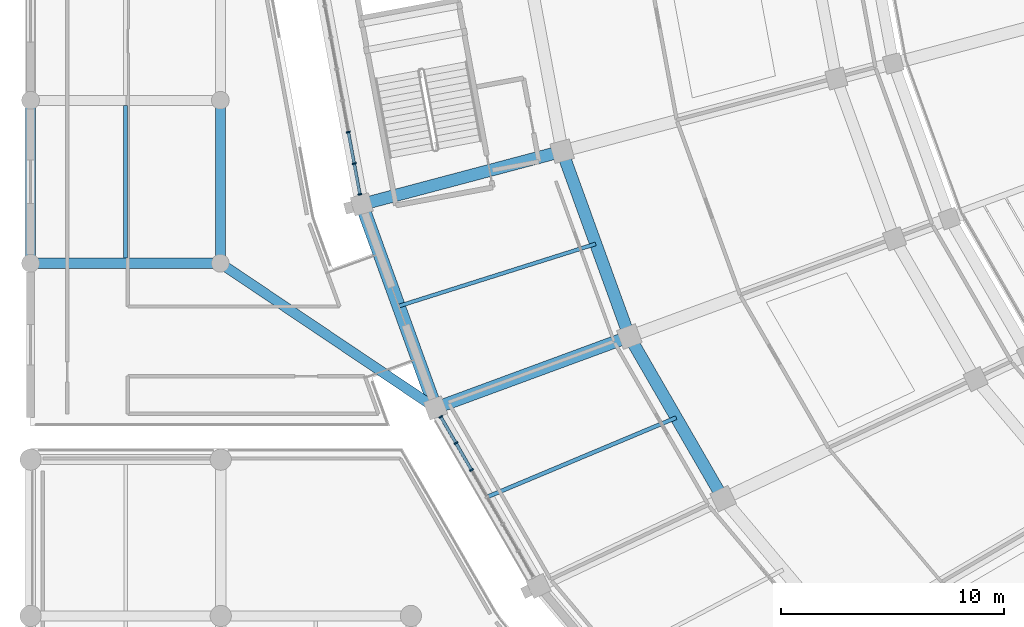
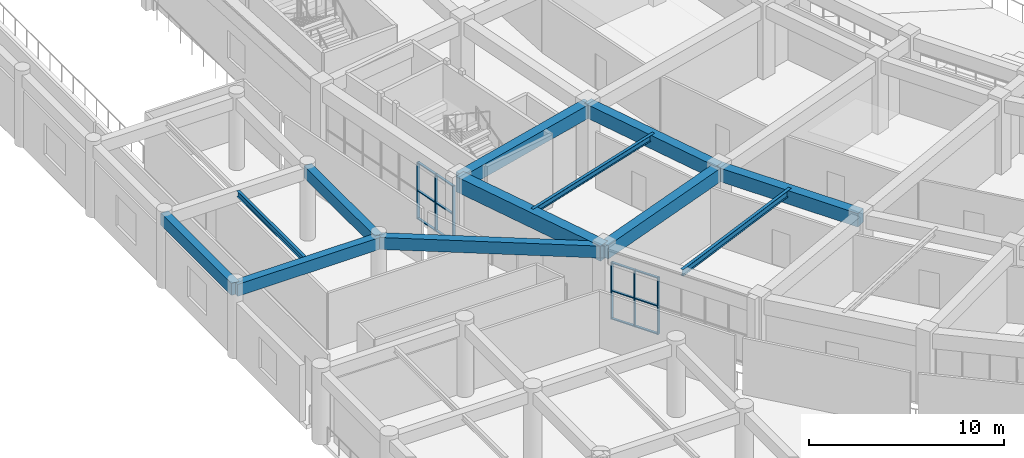
# One storey, part 18 of 152: 18 members, 12 beams, 2 elements without a shape of their own.
"""IFC4 building model written with IfcOpenShell, lengths in metres."""

from ifc_helpers import new_model, si_unit, direction, frame, origin, origin_2d, place, context, subcontext, project, spatial, rectangle, i_section, extrude, material, layer, layer_set, material_profile, profile_set, type_object, element, aggregate, save


model = new_model("IFC4")

# Units and contexts
model_context = context("Model", 3, precision=1e-05, world=origin(), true_north=direction((0.0, 1.0)))
body_context = subcontext(model_context, "Body", "Model", "MODEL_VIEW")
ifc_project = project(units=[si_unit("LENGTHUNIT", "METRE"), si_unit("AREAUNIT", "SQUARE_METRE"), si_unit("VOLUMEUNIT", "CUBIC_METRE"), si_unit("PLANEANGLEUNIT", "RADIAN"), si_unit("MASSUNIT", "GRAM", prefix="KILO")], contexts=[model_context])

# Site, building, storey
site_placement = place(None, origin())
site = spatial("IfcSite", under=ifc_project, at=site_placement, CompositionType="ELEMENT")
building_placement = place(site_placement, origin())
building = spatial("IfcBuilding", under=site, at=building_placement, Name="Mphavela Belvedere Stadium", CompositionType="ELEMENT")
storey_placement = place(building_placement, frame((0.0, 0.0, 5.39990234375)))
storey = spatial("IfcBuildingStorey", under=building, at=storey_placement, Name="L01", CompositionType="ELEMENT", Elevation=5.39990234375)

# Beams
ifc_material_1 = material(Name="Concrete C40/50", Category="concrete")
ifc_material_profile_1 = material_profile(ifc_material_1, rectangle(XDim=0.60009765625, YDim=0.949951171875, at=origin_2d()), Name="RC 600x950")
ifc_profile_set_1 = profile_set([ifc_material_profile_1], Name="Concrete C40/50")
beam_type_1 = type_object("IfcBeamType", Name="BM-ENTABLATURE-950", PredefinedType="SPANDREL", material=ifc_profile_set_1)
beam_1_placement = place(storey_placement, frame((14.83544921875, 60.4375, 4.0751953125), z_axis=(0.341017570596, -0.94005692197, 0.0), x_axis=(0.94005692197, 0.341017570596, 0.0)))
element("IfcBeam", 1, at=beam_1_placement, inside=storey, type_object=beam_type_1, Name="Circumferential girder L01 R4-27", PredefinedType="SPANDREL", context=body_context, shape_type="SweptSolid", body=[
    extrude(rectangle(XDim=0.60009765625, YDim=0.949951171875, at=origin_2d()), origin(), (0.0, 0.0, 1.0), 9.701416015625),
])
ifc_material_2 = material(Name="Steel S355", Category="steel")
ifc_material_profile_2 = material_profile(ifc_material_2, i_section(OverallWidth=0.169921875, OverallDepth=0.360107421875, WebThickness=0.008056640625, FlangeThickness=0.0126953125, at=origin_2d()), Name="IPE 360")
ifc_profile_set_2 = profile_set([ifc_material_profile_2], Name="Steel S355")
beam_type_2 = type_object("IfcBeamType", Name="BM-JOIST-IPE360", PredefinedType="JOIST", material=ifc_profile_set_2)
beam_2_placement = place(storey_placement, frame((25.318359375, 58.6669921875, 4.3701171875), z_axis=(-0.953544002003, -0.301253773826, 0.0), x_axis=(0.301253773826, -0.953544002003, 0.0)))
element("IfcBeam", 2, at=beam_2_placement, inside=storey, type_object=beam_type_2, Name="Concourse floor joist L01-27", PredefinedType="JOIST", context=body_context, shape_type="SweptSolid", body=[
    extrude(i_section(OverallWidth=0.169921875, OverallDepth=0.360107421875, WebThickness=0.008056640625, FlangeThickness=0.0126953125, at=origin_2d()), origin(), (0.0, 0.0, 1.0), 9.259033203125),
])
beam_3_placement = place(storey_placement, frame((4.25, 58.02490234375, 4.360107421875), z_axis=(0.0, 1.0, 0.0), x_axis=(-1.0, 0.0, 0.0)))
element("IfcBeam", 3, at=beam_3_placement, inside=storey, type_object=beam_type_2, Name="West Planted Eaves Peristyle Colonnade secondary joist L01 1-2", PredefinedType="JOIST", context=body_context, shape_type="SweptSolid", body=[
    extrude(i_section(OverallWidth=0.169921875, OverallDepth=0.360107421875, WebThickness=0.008056640625, FlangeThickness=0.0126953125, at=origin_2d()), origin(), (0.0, 0.0, 1.0), 6.85009765625),
])
ifc_material_3 = material(Name="Steel S355", Category="steel")
ifc_material_profile_3 = material_profile(ifc_material_3, i_section(OverallWidth=0.179931640625, OverallDepth=0.39990234375, WebThickness=0.008544921875, FlangeThickness=0.013427734375, at=origin_2d()), Name="IPE 400")
ifc_profile_set_3 = profile_set([ifc_material_profile_3], Name="Steel S355")
beam_type_3 = type_object("IfcBeamType", Name="BM-JOIST-IPE400", PredefinedType="JOIST", material=ifc_profile_set_3)
beam_4_placement = place(storey_placement, frame((28.924560546875, 50.8837890625, 4.35009765625), z_axis=(-0.922112756047, -0.386921264775, 0.0), x_axis=(0.386921264775, -0.922112756047, 0.0)))
element("IfcBeam", 4, at=beam_4_placement, inside=storey, type_object=beam_type_3, Name="Concourse floor joist L01-28", PredefinedType="JOIST", context=body_context, shape_type="SweptSolid", body=[
    extrude(i_section(OverallWidth=0.179931640625, OverallDepth=0.39990234375, WebThickness=0.008544921875, FlangeThickness=0.013427734375, at=origin_2d()), origin(), (0.0, 0.0, 1.0), 9.189697265625),
])
ifc_material_4 = material(Name="Concrete C40/50", Category="concrete")
ifc_material_profile_4 = material_profile(ifc_material_4, rectangle(XDim=0.449951171875, YDim=0.75, at=origin_2d()), Name="RC 450x750")
ifc_profile_set_4 = profile_set([ifc_material_profile_4], Name="Concrete C40/50")
beam_type_4 = type_object("IfcBeamType", Name="BM-RC450x750", PredefinedType="BEAM", material=ifc_profile_set_4)
beam_5_placement = place(storey_placement, frame((0.0, 57.800048828125, 4.1650390625), z_axis=(1.0, 0.0, 0.0), x_axis=(0.0, 1.0, 0.0)))
element("IfcBeam", 5, at=beam_5_placement, inside=storey, type_object=beam_type_4, Name="West Planted Eaves Peristyle Colonnade entablature beam X L01 1-2", PredefinedType="BEAM", context=body_context, shape_type="SweptSolid", body=[
    extrude(rectangle(XDim=0.449951171875, YDim=0.75, at=origin_2d()), origin(), (0.0, 0.0, 1.0), 8.5),
])
for number, where, z_axis, x_axis, name in (
    (6, (0.0, 57.800048828125, 4.1650390625), (0.0, 1.0, 0.0), (-1.0, 0.0, 0.0), "West Planted Eaves Peristyle Colonnade entablature beam Y L01 1-2"),
    (7, (8.5, 57.800048828125, 4.1650390625), (0.0, 1.0, 0.0), (-1.0, 0.0, 0.0), "West Planted Eaves Peristyle Colonnade entablature beam Y L01 2-2"),
):
    element("IfcBeam", number, at=place(storey_placement, frame(where, z_axis=z_axis, x_axis=x_axis)), inside=storey, type_object=beam_type_4, Name=name, PredefinedType="BEAM", context=body_context, shape_type="SweptSolid", body=[
        extrude(rectangle(XDim=0.449951171875, YDim=0.75, at=origin_2d()), origin(), (0.0, 0.0, 1.0), 7.300048828125),
    ])
beam_6_placement = place(storey_placement, frame((8.5, 57.800048828125, 4.1650390625), z_axis=(0.82993028647, -0.557867116436, 0.0), x_axis=(0.557867116436, 0.82993028647, 0.0)))
element("IfcBeam", 8, at=beam_6_placement, inside=storey, type_object=beam_type_4, Name="West Planted Eaves Peristyle Colonnade bowl link girder L01-5", PredefinedType="BEAM", context=body_context, shape_type="SweptSolid", body=[
    extrude(rectangle(XDim=0.449951171875, YDim=0.75, at=origin_2d()), origin(), (0.0, 0.0, 1.0), 11.6201171875),
])
ifc_material_5 = material(Name="Concrete C40/50", Category="concrete")
ifc_material_profile_5 = material_profile(ifc_material_5, rectangle(XDim=0.550048828125, YDim=0.85009765625, at=origin_2d()), Name="RC 550x850")
ifc_profile_set_5 = profile_set([ifc_material_profile_5], Name="Concrete C40/50")
beam_type_5 = type_object("IfcBeamType", Name="BM-RC550x850", PredefinedType="BEAM", material=ifc_profile_set_5)
beam_7_placement = place(storey_placement, frame((23.8125, 62.818115234375, 4.125), z_axis=(0.341030504348, -0.940052229987, 0.0), x_axis=(0.940052229987, 0.341030504348, 0.0)))
element("IfcBeam", 9, at=beam_7_placement, inside=storey, type_object=beam_type_5, Name="Circumferential girder L01 R3-27", PredefinedType="BEAM", context=body_context, shape_type="SweptSolid", body=[
    extrude(rectangle(XDim=0.550048828125, YDim=0.85009765625, at=origin_2d()), origin(), (0.0, 0.0, 1.0), 8.83203125),
])
beam_8_placement = place(storey_placement, frame((23.8125, 62.818115234375, 4.125), z_axis=(-0.966589609073, -0.256328944196, 0.0), x_axis=(0.256328944196, -0.966589609073, 0.0)))
element("IfcBeam", 10, at=beam_8_placement, inside=storey, type_object=beam_type_5, Name="Radial concourse girder L01 R3R4-27", PredefinedType="BEAM", context=body_context, shape_type="SweptSolid", body=[
    extrude(rectangle(XDim=0.550048828125, YDim=0.85009765625, at=origin_2d()), origin(), (0.0, 0.0, 1.0), 9.287353515625),
])
beam_9_placement = place(storey_placement, frame((26.824462890625, 54.515625, 4.125), z_axis=(0.500547586322, -0.865709023765, 0.0), x_axis=(0.865709023765, 0.500547586322, 0.0)))
element("IfcBeam", 11, at=beam_9_placement, inside=storey, type_object=beam_type_5, Name="Circumferential girder L01 R3-28", PredefinedType="BEAM", context=body_context, shape_type="SweptSolid", body=[
    extrude(rectangle(XDim=0.550048828125, YDim=0.85009765625, at=origin_2d()), origin(), (0.0, 0.0, 1.0), 8.390625),
])
beam_10_placement = place(storey_placement, frame((26.824462890625, 54.515625, 4.125), z_axis=(-0.938348073025, -0.345691905967, 0.0), x_axis=(0.345691905967, -0.938348073025, 0.0)))
element("IfcBeam", 12, at=beam_10_placement, inside=storey, type_object=beam_type_5, Name="Radial concourse girder L01 R3R4-28", PredefinedType="BEAM", context=body_context, shape_type="SweptSolid", body=[
    extrude(rectangle(XDim=0.550048828125, YDim=0.85009765625, at=origin_2d()), origin(), (0.0, 0.0, 1.0), 9.2509765625),
])

# Curtain wall, members
ifc_material_6 = material(Name="Anodised bronze unitised curtain wall framing")
ifc_layer_1 = layer(ifc_material_6, 0.195068359375)
ifc_layer_set_1 = layer_set([ifc_layer_1], Name="Anodised bronze unitised curtain wall framing")
curtain_wall_type_1 = type_object("IfcCurtainWallType", Name="CW-UNIT-04", PredefinedType="USERDEFINED", material=ifc_layer_set_1)
curtain_wall_1_placement = place(storey_placement, origin())
curtain_wall_1 = element("IfcCurtainWall", 13, at=curtain_wall_1_placement, inside=storey, type_object=curtain_wall_type_1, Name="Belvedere colonnade curtain wall L01-26", ObjectType="UNITISED CURTAIN WALL", PredefinedType="USERDEFINED")
ifc_material_7 = material(Name="Anodised bronze extruded aluminium", Category="aluminium")
ifc_material_profile_6 = material_profile(ifc_material_7, rectangle(XDim=0.179931640625, YDim=0.06494140625, at=origin_2d()), Name="CW-MUL 180x65")
ifc_profile_set_6 = profile_set([ifc_material_profile_6], Name="Anodised bronze extruded aluminium")
member_type_1 = type_object("IfcMemberType", Name="CWM-180x65", PredefinedType="MULLION", material=ifc_profile_set_6)
member_1_placement = place(storey_placement, frame((14.2333984375, 63.677978515625, 0.0), z_axis=(0.0, 0.0, 1.0), x_axis=(0.983183659932, 0.182619524814, 0.0)))
member_1 = element("IfcMember", 14, at=member_1_placement, type_object=member_type_1, Name="CW-04 mullion 6", PredefinedType="MULLION", context=body_context, shape_type="SweptSolid", body=[
    extrude(rectangle(XDim=0.179931640625, YDim=0.06494140625, at=origin_2d()), origin(), (0.0, 0.0, 1.0), 3.570068359375),
])
member_2_placement = place(storey_placement, frame((14.495849609375, 62.265625, 0.0), z_axis=(0.0, 0.0, 1.0), x_axis=(0.983183659932, 0.182619524814, 0.0)))
member_2 = element("IfcMember", 15, at=member_2_placement, type_object=member_type_1, Name="CW-04 mullion 7", PredefinedType="MULLION", context=body_context, shape_type="SweptSolid", body=[
    extrude(rectangle(XDim=0.179931640625, YDim=0.06494140625, at=origin_2d()), origin(), (0.0, 0.0, 1.0), 3.570068359375),
])
member_3_placement = place(storey_placement, frame((14.752197265625, 60.88525390625, 0.0), z_axis=(0.0, 0.0, 1.0), x_axis=(0.983183659932, 0.182619524814, 0.0)))
member_3 = element("IfcMember", 16, at=member_3_placement, type_object=member_type_1, Name="CW-04 mullion 8", PredefinedType="MULLION", context=body_context, shape_type="SweptSolid", body=[
    extrude(rectangle(XDim=0.179931640625, YDim=0.06494140625, at=origin_2d()), origin(), (0.0, 0.0, 1.0), 3.570068359375),
])

ifc_material_8 = material(Name="Anodised bronze unitised curtain wall framing")
ifc_layer_2 = layer(ifc_material_8, 0.199951171875)
ifc_layer_set_2 = layer_set([ifc_layer_2], Name="Anodised bronze unitised curtain wall framing")
curtain_wall_type_2 = type_object("IfcCurtainWallType", Name="CW-UNIT-05", PredefinedType="USERDEFINED", material=ifc_layer_set_2)
curtain_wall_2_placement = place(storey_placement, origin())
curtain_wall_2 = element("IfcCurtainWall", 17, at=curtain_wall_2_placement, inside=storey, type_object=curtain_wall_type_2, Name="Belvedere colonnade curtain wall L01-28", ObjectType="UNITISED CURTAIN WALL", PredefinedType="USERDEFINED")
member_4_placement = place(storey_placement, frame((18.371826171875, 50.92333984375, 0.0), z_axis=(0.0, 0.0, 1.0), x_axis=(0.865701507229, 0.500560586125, 0.0)))
member_4 = element("IfcMember", 18, at=member_4_placement, type_object=member_type_1, Name="CW-05 mullion 1", PredefinedType="MULLION", context=body_context, shape_type="SweptSolid", body=[
    extrude(rectangle(XDim=0.179931640625, YDim=0.06494140625, at=origin_2d()), origin(), (0.0, 0.0, 1.0), 3.570068359375),
])
member_5_placement = place(storey_placement, frame((19.053955078125, 49.74365234375, 0.0), z_axis=(0.0, 0.0, 1.0), x_axis=(0.865701507229, 0.500560586125, 0.0)))
member_5 = element("IfcMember", 19, at=member_5_placement, type_object=member_type_1, Name="CW-05 mullion 2", PredefinedType="MULLION", context=body_context, shape_type="SweptSolid", body=[
    extrude(rectangle(XDim=0.179931640625, YDim=0.06494140625, at=origin_2d()), origin(), (0.0, 0.0, 1.0), 3.570068359375),
])
member_6_placement = place(storey_placement, frame((19.75244140625, 48.535888671875, 0.0), z_axis=(0.0, 0.0, 1.0), x_axis=(0.865701507229, 0.500560586125, 0.0)))
member_6 = element("IfcMember", 20, at=member_6_placement, type_object=member_type_1, Name="CW-05 mullion 3", PredefinedType="MULLION", context=body_context, shape_type="SweptSolid", body=[
    extrude(rectangle(XDim=0.179931640625, YDim=0.06494140625, at=origin_2d()), origin(), (0.0, 0.0, 1.0), 3.570068359375),
])

# Member
ifc_material_9 = material(Name="Anodised bronze extruded aluminium", Category="aluminium")
ifc_material_profile_7 = material_profile(ifc_material_9, rectangle(XDim=0.139892578125, YDim=0.06005859375, at=origin_2d()), Name="CW-TRN 140x60")
ifc_profile_set_7 = profile_set([ifc_material_profile_7], Name="Anodised bronze extruded aluminium")
member_type_2 = type_object("IfcMemberType", Name="CWT-140x60", PredefinedType="USERDEFINED", material=ifc_profile_set_7)
member_7_placement = place(storey_placement, frame((14.239501953125, 63.64599609375, 0.030029296875), z_axis=(0.182471732278, -0.983211099876, 0.0), x_axis=(0.983211099876, 0.182471732278, 0.0)))
member_7 = element("IfcMember", 21, at=member_7_placement, type_object=member_type_2, Name="CW-04 transom 6.1", ObjectType="TRANSOM", PredefinedType="USERDEFINED", context=body_context, shape_type="SweptSolid", body=[
    extrude(rectangle(XDim=0.139892578125, YDim=0.06005859375, at=origin_2d()), origin(), (0.0, 0.0, 1.0), 1.371337890625),
])

member_8_placement = place(storey_placement, frame((14.239501953125, 63.64599609375, 1.78515625), z_axis=(0.182471732278, -0.983211099876, 0.0), x_axis=(0.983211099876, 0.182471732278, 0.0)))
member_8 = element("IfcMember", 22, at=member_8_placement, type_object=member_type_2, Name="CW-04 transom 6.2", ObjectType="TRANSOM", PredefinedType="USERDEFINED", context=body_context, shape_type="SweptSolid", body=[
    extrude(rectangle(XDim=0.139892578125, YDim=0.06005859375, at=origin_2d()), origin(), (0.0, 0.0, 1.0), 1.371337890625),
])

member_9_placement = place(storey_placement, frame((14.239501953125, 63.64599609375, 3.5400390625), z_axis=(0.182471732278, -0.983211099876, 0.0), x_axis=(0.983211099876, 0.182471732278, 0.0)))
member_9 = element("IfcMember", 23, at=member_9_placement, type_object=member_type_2, Name="CW-04 transom 6.3", ObjectType="TRANSOM", PredefinedType="USERDEFINED", context=body_context, shape_type="SweptSolid", body=[
    extrude(rectangle(XDim=0.139892578125, YDim=0.06005859375, at=origin_2d()), origin(), (0.0, 0.0, 1.0), 1.371337890625),
])

member_10_placement = place(storey_placement, frame((14.501708984375, 62.233642578125, 0.030029296875), z_axis=(0.182702984159, -0.983168154275, 0.0), x_axis=(0.983168154275, 0.182702984159, 0.0)))
member_10 = element("IfcMember", 24, at=member_10_placement, type_object=member_type_2, Name="CW-04 transom 7.1", ObjectType="TRANSOM", PredefinedType="USERDEFINED", context=body_context, shape_type="SweptSolid", body=[
    extrude(rectangle(XDim=0.139892578125, YDim=0.06005859375, at=origin_2d()), origin(), (0.0, 0.0, 1.0), 1.3388671875),
])

member_11_placement = place(storey_placement, frame((14.501708984375, 62.233642578125, 1.78515625), z_axis=(0.182702984159, -0.983168154275, 0.0), x_axis=(0.983168154275, 0.182702984159, 0.0)))
member_11 = element("IfcMember", 25, at=member_11_placement, type_object=member_type_2, Name="CW-04 transom 7.2", ObjectType="TRANSOM", PredefinedType="USERDEFINED", context=body_context, shape_type="SweptSolid", body=[
    extrude(rectangle(XDim=0.139892578125, YDim=0.06005859375, at=origin_2d()), origin(), (0.0, 0.0, 1.0), 1.3388671875),
])

member_12_placement = place(storey_placement, frame((14.501708984375, 62.233642578125, 3.5400390625), z_axis=(0.182702984159, -0.983168154275, 0.0), x_axis=(0.983168154275, 0.182702984159, 0.0)))
member_12 = element("IfcMember", 26, at=member_12_placement, type_object=member_type_2, Name="CW-04 transom 7.3", ObjectType="TRANSOM", PredefinedType="USERDEFINED", context=body_context, shape_type="SweptSolid", body=[
    extrude(rectangle(XDim=0.139892578125, YDim=0.06005859375, at=origin_2d()), origin(), (0.0, 0.0, 1.0), 1.3388671875),
])

aggregate(curtain_wall_1, [member_1, member_2, member_3, member_7, member_8, member_9, member_10, member_11, member_12])

member_13_placement = place(storey_placement, frame((18.38818359375, 50.895263671875, 0.030029296875), z_axis=(0.500428039274, -0.865778134113, 0.0), x_axis=(0.865778134113, 0.500428039274, 0.0)))
member_13 = element("IfcMember", 27, at=member_13_placement, type_object=member_type_2, Name="CW-05 transom 1.1", ObjectType="TRANSOM", PredefinedType="USERDEFINED", context=body_context, shape_type="SweptSolid", body=[
    extrude(rectangle(XDim=0.139892578125, YDim=0.06005859375, at=origin_2d()), origin(), (0.0, 0.0, 1.0), 1.297607421875),
])

member_14_placement = place(storey_placement, frame((18.38818359375, 50.895263671875, 1.78515625), z_axis=(0.500428039274, -0.865778134113, 0.0), x_axis=(0.865778134113, 0.500428039274, 0.0)))
member_14 = element("IfcMember", 28, at=member_14_placement, type_object=member_type_2, Name="CW-05 transom 1.2", ObjectType="TRANSOM", PredefinedType="USERDEFINED", context=body_context, shape_type="SweptSolid", body=[
    extrude(rectangle(XDim=0.139892578125, YDim=0.06005859375, at=origin_2d()), origin(), (0.0, 0.0, 1.0), 1.297607421875),
])

member_15_placement = place(storey_placement, frame((18.38818359375, 50.895263671875, 3.5400390625), z_axis=(0.500428039274, -0.865778134113, 0.0), x_axis=(0.865778134113, 0.500428039274, 0.0)))
member_15 = element("IfcMember", 29, at=member_15_placement, type_object=member_type_2, Name="CW-05 transom 1.3", ObjectType="TRANSOM", PredefinedType="USERDEFINED", context=body_context, shape_type="SweptSolid", body=[
    extrude(rectangle(XDim=0.139892578125, YDim=0.06005859375, at=origin_2d()), origin(), (0.0, 0.0, 1.0), 1.297607421875),
])

member_16_placement = place(storey_placement, frame((19.0703125, 49.715576171875, 0.030029296875), z_axis=(0.500500799875, -0.865736073711, 0.0), x_axis=(0.865736073711, 0.500500799875, 0.0)))
member_16 = element("IfcMember", 30, at=member_16_placement, type_object=member_type_2, Name="CW-05 transom 2.1", ObjectType="TRANSOM", PredefinedType="USERDEFINED", context=body_context, shape_type="SweptSolid", body=[
    extrude(rectangle(XDim=0.139892578125, YDim=0.06005859375, at=origin_2d()), origin(), (0.0, 0.0, 1.0), 1.330322265625),
])

member_17_placement = place(storey_placement, frame((19.0703125, 49.715576171875, 1.78515625), z_axis=(0.500500799875, -0.865736073711, 0.0), x_axis=(0.865736073711, 0.500500799875, 0.0)))
member_17 = element("IfcMember", 31, at=member_17_placement, type_object=member_type_2, Name="CW-05 transom 2.2", ObjectType="TRANSOM", PredefinedType="USERDEFINED", context=body_context, shape_type="SweptSolid", body=[
    extrude(rectangle(XDim=0.139892578125, YDim=0.06005859375, at=origin_2d()), origin(), (0.0, 0.0, 1.0), 1.330322265625),
])

member_18_placement = place(storey_placement, frame((19.0703125, 49.715576171875, 3.5400390625), z_axis=(0.500500799875, -0.865736073711, 0.0), x_axis=(0.865736073711, 0.500500799875, 0.0)))
member_18 = element("IfcMember", 32, at=member_18_placement, type_object=member_type_2, Name="CW-05 transom 2.3", ObjectType="TRANSOM", PredefinedType="USERDEFINED", context=body_context, shape_type="SweptSolid", body=[
    extrude(rectangle(XDim=0.139892578125, YDim=0.06005859375, at=origin_2d()), origin(), (0.0, 0.0, 1.0), 1.330322265625),
])

aggregate(curtain_wall_2, [member_4, member_5, member_6, member_13, member_14, member_15, member_16, member_17, member_18])

save(model, "model.ifc")
